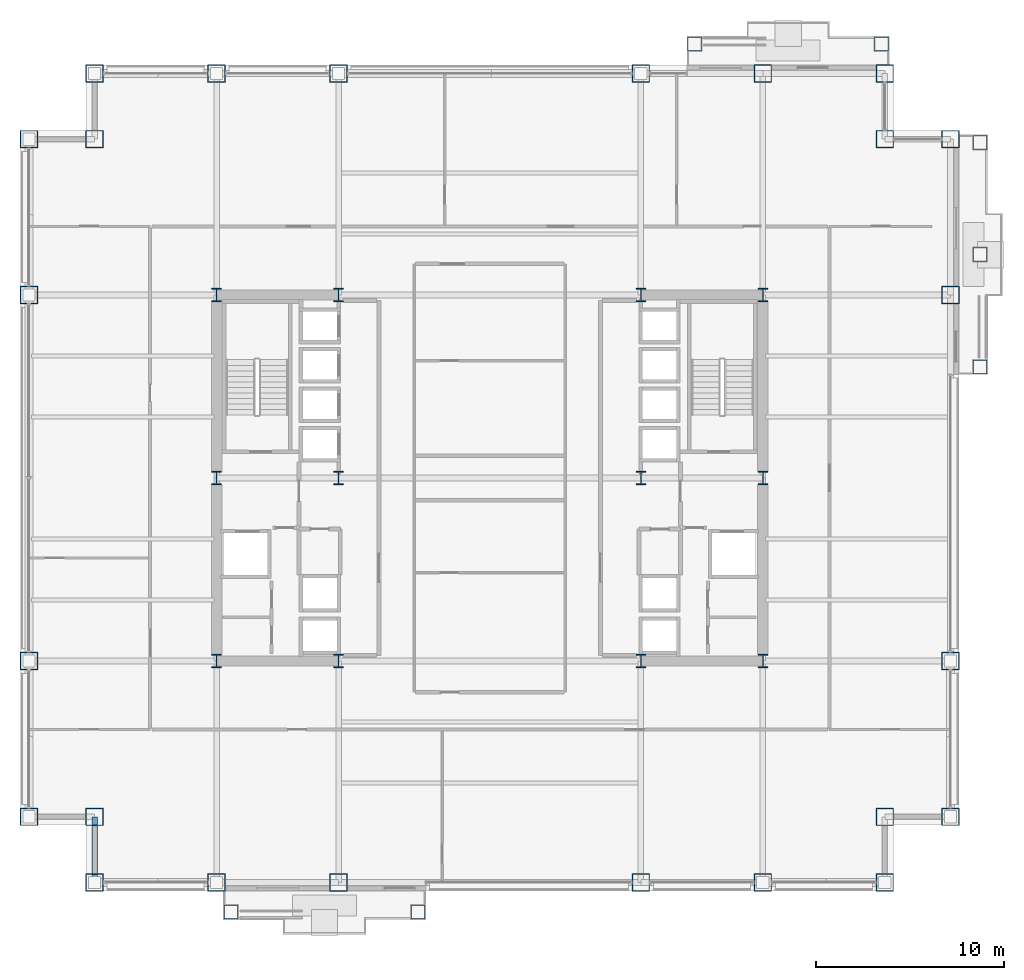
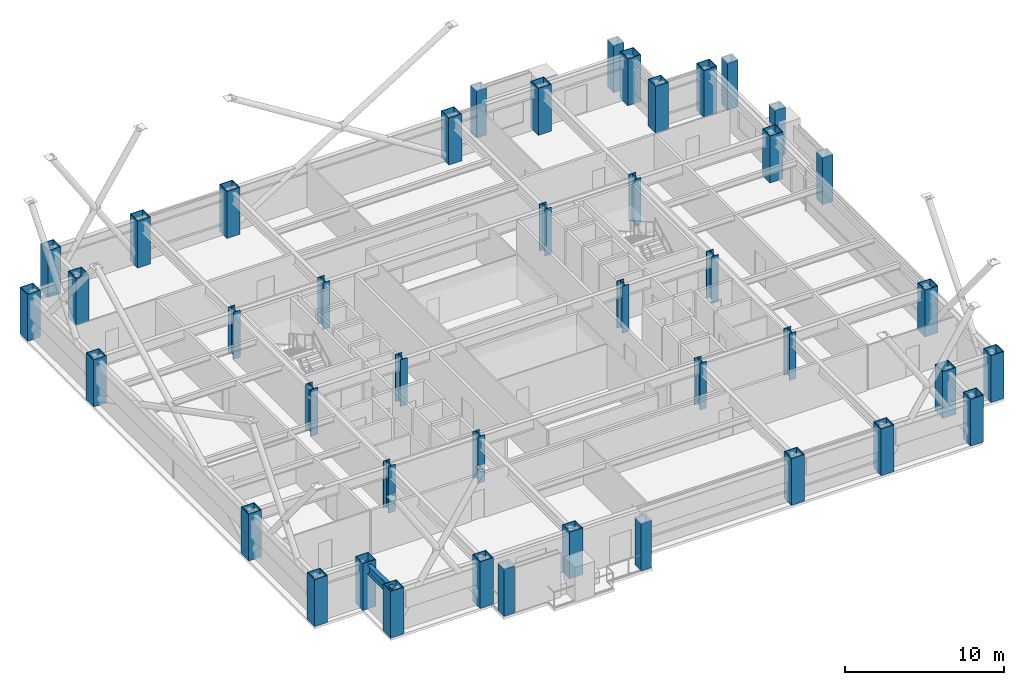
# One storey, part 1 of 33: 43 columns, 1 beam.
"""IFC4 building model written with IfcOpenShell, lengths in metres."""

from ifc_helpers import new_model, si_unit, direction, frame, origin, origin_2d, place, context, subcontext, project, spatial, hollow_rectangle, i_section, extrude, material, material_profile, profile_set, type_object, element, save


model = new_model("IFC4")

# Units and contexts
model_context = context("Model", 3, precision=1e-05, world=origin(), true_north=direction((0.0, 1.0)))
body_context = subcontext(model_context, "Body", "Model", "MODEL_VIEW")
ifc_project = project(units=[si_unit("LENGTHUNIT", "METRE"), si_unit("AREAUNIT", "SQUARE_METRE"), si_unit("VOLUMEUNIT", "CUBIC_METRE"), si_unit("PLANEANGLEUNIT", "RADIAN"), si_unit("MASSUNIT", "GRAM", prefix="KILO")], contexts=[model_context])

# Site, building, storey
site_placement = place(None, origin())
site = spatial("IfcSite", under=ifc_project, at=site_placement, CompositionType="ELEMENT")
building_placement = place(site_placement, origin())
building = spatial("IfcBuilding", under=site, at=building_placement, Name="Brelmoor Portico Tower", CompositionType="ELEMENT")
storey_placement = place(building_placement, frame((0.0, 0.0, 34.800048828125)))
storey = spatial("IfcBuildingStorey", under=building, at=storey_placement, Name="L08", CompositionType="ELEMENT", Elevation=34.800048828125)

# Columns
ifc_material_1 = material(Name="Steel Q355B", Category="steel")
ifc_material_profile_1 = material_profile(ifc_material_1, hollow_rectangle(XDim=0.75, YDim=0.75, WallThickness=0.031982421875, at=origin_2d()), Name="BOX 750x750x32")
ifc_profile_set_1 = profile_set([ifc_material_profile_1], Name="Steel Q355B")
column_type_1 = type_object("IfcColumnType", Name="COL-MEGA-750", PredefinedType="COLUMN", material=ifc_profile_set_1)
for number, where, z_axis, x_axis, name in (
    (1, (-13.780029296875, -23.1298828125, 0.0), (0.0, 0.0, 1.0), (1.0, 0.0, 0.0), "L08 Proud Picture-Frame Pier PFJ-S1"),
    (2, (-3.820068359375, -23.1298828125, 0.0), (0.0, 0.0, 1.0), (1.0, 0.0, 0.0), "L08 Proud Picture-Frame Pier PFJ-S2"),
    (3, (10.919921875, 23.1298828125, 0.0), (0.0, 0.0, 1.0), (1.0, 0.0, 0.0), "L08 Proud Picture-Frame Pier PFJ-N1"),
    (4, (20.8798828125, 23.1298828125, 0.0), (0.0, 0.0, 1.0), (1.0, 0.0, 0.0), "L08 Proud Picture-Frame Pier PFJ-N2"),
    (5, (26.1298828125, 5.919921875, 0.0), (0.0, 0.0, 1.0), (0.0, 1.0, 0.0), "L08 Proud Picture-Frame Pier PFJ-E1"),
    (6, (26.1298828125, 17.8798828125, 0.0), (0.0, 0.0, 1.0), (0.0, 1.0, 0.0), "L08 Proud Picture-Frame Pier PFJ-E2"),
    (7, (26.1298828125, 11.89990234375, 0.0), (0.0, 0.0, 1.0), (0.0, 1.0, 0.0), "L08 Proud Picture-Frame Pier PFJ-E3"),
):
    element("IfcColumn", number, at=place(storey_placement, frame(where, z_axis=z_axis, x_axis=x_axis)), inside=storey, type_object=column_type_1, Name=name, PredefinedType="COLUMN", context=body_context, shape_type="SweptSolid", body=[
        extrude(hollow_rectangle(XDim=0.75, YDim=0.75, WallThickness=0.031982421875, at=origin_2d()), origin(), (0.0, 0.0, 1.0), 3.599853515625),
    ])
ifc_material_2 = material(Name="Steel Q420B", Category="steel")
ifc_material_profile_2 = material_profile(ifc_material_2, hollow_rectangle(XDim=0.949951171875, YDim=0.949951171875, WallThickness=0.048095703125, at=origin_2d()), Name="BOX 950x950x48")
ifc_profile_set_2 = profile_set([ifc_material_profile_2], Name="Steel Q420B")
column_type_2 = type_object("IfcColumnType", Name="COL-MEGA-950", PredefinedType="COLUMN", material=ifc_profile_set_2)
for number, where, z_axis, x_axis, name in (
    (8, (-21.050048828125, -21.550048828125, 0.0), (0.0, 0.0, 1.0), (1.0, 0.0, 0.0), "L08 Perimeter Mega-Column PS01"),
    (9, (-14.550048828125, -21.550048828125, 0.0), (0.0, 0.0, 1.0), (1.0, 0.0, 0.0), "L08 Perimeter Mega-Column PS02"),
    (10, (-8.050048828125, -21.550048828125, 0.0), (0.0, 0.0, 1.0), (1.0, 0.0, 0.0), "L08 Perimeter Mega-Column PS03"),
    (11, (8.050048828125, -21.550048828125, 0.0), (0.0, 0.0, 1.0), (1.0, 0.0, 0.0), "L08 Perimeter Mega-Column PS04"),
    (12, (14.550048828125, -21.550048828125, 0.0), (0.0, 0.0, 1.0), (1.0, 0.0, 0.0), "L08 Perimeter Mega-Column PS05"),
    (13, (21.050048828125, -21.550048828125, 0.0), (0.0, 0.0, 1.0), (1.0, 0.0, 0.0), "L08 Perimeter Mega-Column PS06"),
    (14, (-21.050048828125, 21.550048828125, 0.0), (0.0, 0.0, 1.0), (1.0, 0.0, 0.0), "L08 Perimeter Mega-Column PN01"),
    (15, (-14.550048828125, 21.550048828125, 0.0), (0.0, 0.0, 1.0), (1.0, 0.0, 0.0), "L08 Perimeter Mega-Column PN02"),
    (16, (-8.050048828125, 21.550048828125, 0.0), (0.0, 0.0, 1.0), (1.0, 0.0, 0.0), "L08 Perimeter Mega-Column PN03"),
    (17, (8.050048828125, 21.550048828125, 0.0), (0.0, 0.0, 1.0), (1.0, 0.0, 0.0), "L08 Perimeter Mega-Column PN04"),
    (18, (14.550048828125, 21.550048828125, 0.0), (0.0, 0.0, 1.0), (1.0, 0.0, 0.0), "L08 Perimeter Mega-Column PN05"),
    (19, (21.050048828125, 21.550048828125, 0.0), (0.0, 0.0, 1.0), (1.0, 0.0, 0.0), "L08 Perimeter Mega-Column PN06"),
    (20, (-24.550048828125, -18.050048828125, 0.0), (0.0, 0.0, 1.0), (0.0, 1.0, 0.0), "L08 Perimeter Mega-Column PW01"),
    (21, (-24.550048828125, -9.75, 0.0), (0.0, 0.0, 1.0), (0.0, 1.0, 0.0), "L08 Perimeter Mega-Column PW02"),
    (22, (-24.550048828125, 9.75, 0.0), (0.0, 0.0, 1.0), (0.0, 1.0, 0.0), "L08 Perimeter Mega-Column PW03"),
    (23, (-24.550048828125, 18.050048828125, 0.0), (0.0, 0.0, 1.0), (0.0, 1.0, 0.0), "L08 Perimeter Mega-Column PW04"),
    (24, (24.550048828125, -18.050048828125, 0.0), (0.0, 0.0, 1.0), (0.0, 1.0, 0.0), "L08 Perimeter Mega-Column PE01"),
    (25, (24.550048828125, -9.75, 0.0), (0.0, 0.0, 1.0), (0.0, 1.0, 0.0), "L08 Perimeter Mega-Column PE02"),
    (26, (24.550048828125, 9.75, 0.0), (0.0, 0.0, 1.0), (0.0, 1.0, 0.0), "L08 Perimeter Mega-Column PE03"),
    (27, (24.550048828125, 18.050048828125, 0.0), (0.0, 0.0, 1.0), (0.0, 1.0, 0.0), "L08 Perimeter Mega-Column PE04"),
    (28, (-21.050048828125, 18.050048828125, 0.0), (0.0, 0.0, 1.0), (1.0, 0.0, 0.0), "L08 Perimeter Mega-Column PC-NW"),
    (29, (21.050048828125, 18.050048828125, 0.0), (0.0, 0.0, 1.0), (1.0, 0.0, 0.0), "L08 Perimeter Mega-Column PC-NE"),
    (30, (21.050048828125, -18.050048828125, 0.0), (0.0, 0.0, 1.0), (1.0, 0.0, 0.0), "L08 Perimeter Mega-Column PC-SE"),
    (31, (-21.050048828125, -18.050048828125, 0.0), (0.0, 0.0, 1.0), (1.0, 0.0, 0.0), "L08 Perimeter Mega-Column PC-SW"),
):
    element("IfcColumn", number, at=place(storey_placement, frame(where, z_axis=z_axis, x_axis=x_axis)), inside=storey, type_object=column_type_2, Name=name, PredefinedType="COLUMN", context=body_context, shape_type="SweptSolid", body=[
        extrude(hollow_rectangle(XDim=0.949951171875, YDim=0.949951171875, WallThickness=0.048095703125, at=origin_2d()), origin(), (0.0, 0.0, 1.0), 3.599853515625),
    ])
ifc_material_profile_3 = material_profile(ifc_material_2, i_section(OverallWidth=0.5, OverallDepth=0.699951171875, WebThickness=0.028076171875, FlangeThickness=0.044921875, at=origin_2d()), Name="HW 700x500x28x45")
ifc_profile_set_3 = profile_set([ifc_material_profile_3], Name="Steel Q420B")
column_type_3 = type_object("IfcColumnType", Name="COL-SPINE-700", PredefinedType="COLUMN", material=ifc_profile_set_3)
for number, where, z_axis, x_axis, name in (
    (32, (-14.550048828125, -9.75, 0.0), (0.0, 0.0, 1.0), (1.0, 0.0, 0.0), "L08 Core Spine Column CW-SW"),
    (33, (-14.550048828125, 0.0, 0.0), (0.0, 0.0, 1.0), (1.0, 0.0, 0.0), "L08 Core Spine Column CW-MW"),
    (34, (-14.550048828125, 9.75, 0.0), (0.0, 0.0, 1.0), (1.0, 0.0, 0.0), "L08 Core Spine Column CW-NW"),
    (35, (-8.050048828125, -9.75, 0.0), (0.0, 0.0, 1.0), (1.0, 0.0, 0.0), "L08 Core Spine Column CW-SE"),
    (36, (-8.050048828125, 0.0, 0.0), (0.0, 0.0, 1.0), (1.0, 0.0, 0.0), "L08 Core Spine Column CW-ME"),
    (37, (-8.050048828125, 9.75, 0.0), (0.0, 0.0, 1.0), (1.0, 0.0, 0.0), "L08 Core Spine Column CW-NE"),
    (38, (8.050048828125, -9.75, 0.0), (0.0, 0.0, 1.0), (1.0, 0.0, 0.0), "L08 Core Spine Column CE-SW"),
    (39, (8.050048828125, 0.0, 0.0), (0.0, 0.0, 1.0), (1.0, 0.0, 0.0), "L08 Core Spine Column CE-MW"),
    (40, (8.050048828125, 9.75, 0.0), (0.0, 0.0, 1.0), (1.0, 0.0, 0.0), "L08 Core Spine Column CE-NW"),
    (41, (14.550048828125, -9.75, 0.0), (0.0, 0.0, 1.0), (1.0, 0.0, 0.0), "L08 Core Spine Column CE-SE"),
    (42, (14.550048828125, 0.0, 0.0), (0.0, 0.0, 1.0), (1.0, 0.0, 0.0), "L08 Core Spine Column CE-ME"),
    (43, (14.550048828125, 9.75, 0.0), (0.0, 0.0, 1.0), (1.0, 0.0, 0.0), "L08 Core Spine Column CE-NE"),
):
    element("IfcColumn", number, at=place(storey_placement, frame(where, z_axis=z_axis, x_axis=x_axis)), inside=storey, type_object=column_type_3, Name=name, PredefinedType="COLUMN", context=body_context, shape_type="SweptSolid", body=[
        extrude(i_section(OverallWidth=0.5, OverallDepth=0.699951171875, WebThickness=0.028076171875, FlangeThickness=0.044921875, at=origin_2d()), origin(), (0.0, 0.0, 1.0), 3.599853515625),
    ])

# Beam
ifc_material_profile_4 = material_profile(ifc_material_1, i_section(OverallWidth=0.300048828125, OverallDepth=0.699951171875, WebThickness=0.012939453125, FlangeThickness=0.02392578125, at=origin_2d()), Name="HN 700x300x13x24")
ifc_profile_set_4 = profile_set([ifc_material_profile_4], Name="Steel Q355B")
beam_type = type_object("IfcBeamType", Name="BM-SP-700", PredefinedType="SPANDREL", material=ifc_profile_set_4)
beam_placement = place(storey_placement, frame((-21.050048828125, -21.550048828125, 3.050048828125), z_axis=(0.0, 1.0, 0.0), x_axis=(-1.0, 0.0, 0.0)))
element("IfcBeam", 44, at=beam_placement, inside=storey, type_object=beam_type, Name="L08 Perimeter Spandrel Beam SP-18", PredefinedType="SPANDREL", context=body_context, shape_type="SweptSolid", body=[
    extrude(i_section(OverallWidth=0.300048828125, OverallDepth=0.699951171875, WebThickness=0.012939453125, FlangeThickness=0.02392578125, at=origin_2d()), origin(), (0.0, 0.0, 1.0), 3.5),
])

save(model, "model.ifc")
